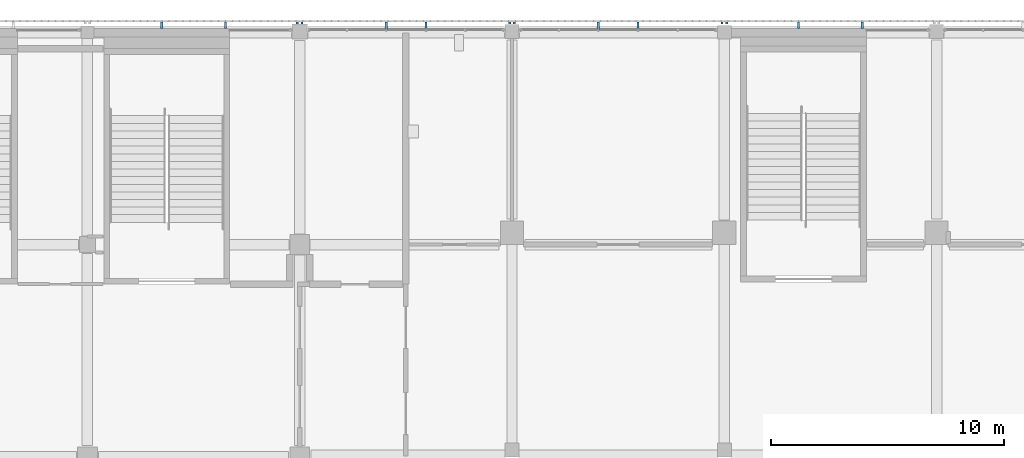
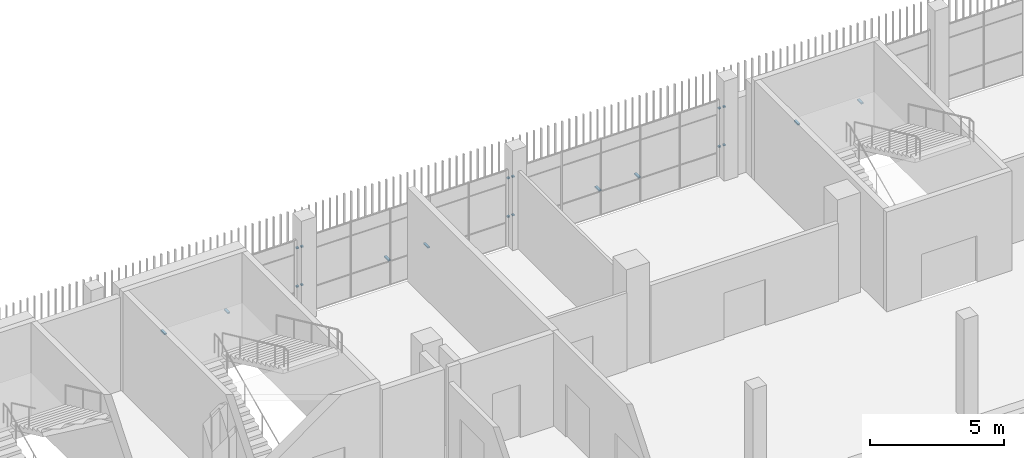
# One storey, part 101 of 126: 20 discrete accessories.
"""IFC4 building model written with IfcOpenShell, lengths in metres."""

from ifc_helpers import new_model, si_unit, direction, frame, origin, origin_2d, place, context, subcontext, project, spatial, rectangle, extrude, material, type_object, element, save


model = new_model("IFC4")

# Units and contexts
model_context = context("Model", 3, precision=1e-05, world=origin(), true_north=direction((0.0, 1.0)))
body_context = subcontext(model_context, "Body", "Model", "MODEL_VIEW")
ifc_project = project(units=[si_unit("LENGTHUNIT", "METRE"), si_unit("AREAUNIT", "SQUARE_METRE"), si_unit("VOLUMEUNIT", "CUBIC_METRE"), si_unit("PLANEANGLEUNIT", "RADIAN"), si_unit("MASSUNIT", "GRAM", prefix="KILO")], contexts=[model_context])

# Site, building, storey
site_placement = place(None, origin())
site = spatial("IfcSite", under=ifc_project, at=site_placement, CompositionType="ELEMENT")
building_placement = place(site_placement, origin())
building = spatial("IfcBuilding", under=site, at=building_placement, Name="Shirokan Park Arena", CompositionType="ELEMENT")
storey_placement = place(building_placement, frame((0.0, 0.0, 6.3701171875)))
storey = spatial("IfcBuildingStorey", under=building, at=storey_placement, Name="L01", CompositionType="ELEMENT", Elevation=6.3701171875)

# Discrete accessories
ifc_material = material(Name="Steel S355", Category="steel")
discrete_accessory_type = type_object("IfcDiscreteAccessoryType", Name="Veil bracket 100x60", PredefinedType="BRACKET", material=ifc_material)
for number, where, z_axis, x_axis, name in (
    (1, (54.699951171875, 109.597412109375, 1.06982421875), (0.0, 0.0, 1.0), (-1.0, 0.0, 0.0), "Veil bracket north bay 10 L01 2"),
    (2, (54.699951171875, 109.597412109375, 2.81982421875), (0.0, 0.0, 1.0), (-1.0, 0.0, 0.0), "Veil bracket north bay 10 L01 4"),
):
    element("IfcDiscreteAccessory", number, at=place(storey_placement, frame(where, z_axis=z_axis, x_axis=x_axis)), inside=storey, type_object=discrete_accessory_type, Name=name, PredefinedType="BRACKET", context=body_context, shape_type="SweptSolid", body=[
        extrude(rectangle(XDim=0.10009765625, YDim=0.094970703125, at=origin_2d()), origin(), (0.0, 0.0, 1.0), 0.06005859375),
    ])
for number, where, z_axis, x_axis, name in (
    (3, (60.514892578125, 109.49755859375, 1.06982421875), (0.0, 0.0, 1.0), (-1.0, 0.0, 0.0), "Veil bracket north bay 10 L01 wall 1"),
    (4, (57.784912109375, 109.49755859375, 1.06982421875), (0.0, 0.0, 1.0), (-1.0, 0.0, 0.0), "Veil bracket north bay 10 L01 wall 2"),
):
    element("IfcDiscreteAccessory", number, at=place(storey_placement, frame(where, z_axis=z_axis, x_axis=x_axis)), inside=storey, type_object=discrete_accessory_type, Name=name, PredefinedType="BRACKET", context=body_context, shape_type="SweptSolid", body=[
        extrude(rectangle(XDim=0.10009765625, YDim=0.294921875, at=origin_2d()), origin(), (0.0, 0.0, 1.0), 0.06005859375),
    ])
for number, where, z_axis, x_axis, name in (
    (5, (54.5, 109.597412109375, 1.06982421875), (0.0, 0.0, 1.0), (-1.0, 0.0, 0.0), "Veil bracket north bay 11 L01 1"),
    (6, (45.60009765625, 109.597412109375, 1.06982421875), (0.0, 0.0, 1.0), (-1.0, 0.0, 0.0), "Veil bracket north bay 11 L01 2"),
    (7, (54.5, 109.597412109375, 2.81982421875), (0.0, 0.0, 1.0), (-1.0, 0.0, 0.0), "Veil bracket north bay 11 L01 3"),
    (8, (45.60009765625, 109.597412109375, 2.81982421875), (0.0, 0.0, 1.0), (-1.0, 0.0, 0.0), "Veil bracket north bay 11 L01 4"),
):
    element("IfcDiscreteAccessory", number, at=place(storey_placement, frame(where, z_axis=z_axis, x_axis=x_axis)), inside=storey, type_object=discrete_accessory_type, Name=name, PredefinedType="BRACKET", context=body_context, shape_type="SweptSolid", body=[
        extrude(rectangle(XDim=0.10009765625, YDim=0.094970703125, at=origin_2d()), origin(), (0.0, 0.0, 1.0), 0.06005859375),
    ])
for number, where, z_axis, x_axis, name in (
    (9, (50.89990234375, 109.485107421875, 1.06982421875), (0.0, 0.0, 1.0), (-1.0, 0.0, 0.0), "Veil bracket north bay 11 L01 wall 1"),
    (10, (49.199951171875, 109.485107421875, 1.06982421875), (0.0, 0.0, 1.0), (-1.0, 0.0, 0.0), "Veil bracket north bay 11 L01 wall 2"),
):
    element("IfcDiscreteAccessory", number, at=place(storey_placement, frame(where, z_axis=z_axis, x_axis=x_axis)), inside=storey, type_object=discrete_accessory_type, Name=name, PredefinedType="BRACKET", context=body_context, shape_type="SweptSolid", body=[
        extrude(rectangle(XDim=0.10009765625, YDim=0.320068359375, at=origin_2d()), origin(), (0.0, 0.0, 1.0), 0.06005859375),
    ])
for number, where, z_axis, x_axis, name in (
    (11, (45.39990234375, 109.597412109375, 1.06982421875), (0.0, 0.0, 1.0), (-1.0, 0.0, 0.0), "Veil bracket north bay 12 L01 1"),
    (12, (36.5, 109.597412109375, 1.06982421875), (0.0, 0.0, 1.0), (-1.0, 0.0, 0.0), "Veil bracket north bay 12 L01 2"),
    (13, (45.39990234375, 109.597412109375, 2.81982421875), (0.0, 0.0, 1.0), (-1.0, 0.0, 0.0), "Veil bracket north bay 12 L01 3"),
    (14, (36.5, 109.597412109375, 2.81982421875), (0.0, 0.0, 1.0), (-1.0, 0.0, 0.0), "Veil bracket north bay 12 L01 4"),
):
    element("IfcDiscreteAccessory", number, at=place(storey_placement, frame(where, z_axis=z_axis, x_axis=x_axis)), inside=storey, type_object=discrete_accessory_type, Name=name, PredefinedType="BRACKET", context=body_context, shape_type="SweptSolid", body=[
        extrude(rectangle(XDim=0.10009765625, YDim=0.094970703125, at=origin_2d()), origin(), (0.0, 0.0, 1.0), 0.06005859375),
    ])
for number, where, z_axis, x_axis, name in (
    (15, (41.81005859375, 109.485107421875, 1.06982421875), (0.0, 0.0, 1.0), (-1.0, 0.0, 0.0), "Veil bracket north bay 12 L01 wall 1"),
    (16, (40.114990234375, 109.485107421875, 1.06982421875), (0.0, 0.0, 1.0), (-1.0, 0.0, 0.0), "Veil bracket north bay 12 L01 wall 2"),
):
    element("IfcDiscreteAccessory", number, at=place(storey_placement, frame(where, z_axis=z_axis, x_axis=x_axis)), inside=storey, type_object=discrete_accessory_type, Name=name, PredefinedType="BRACKET", context=body_context, shape_type="SweptSolid", body=[
        extrude(rectangle(XDim=0.10009765625, YDim=0.320068359375, at=origin_2d()), origin(), (0.0, 0.0, 1.0), 0.06005859375),
    ])
for number, where, z_axis, x_axis, name in (
    (17, (36.300048828125, 109.597412109375, 1.06982421875), (0.0, 0.0, 1.0), (-1.0, 0.0, 0.0), "Veil bracket north bay 13 L01 1"),
    (18, (36.300048828125, 109.597412109375, 2.81982421875), (0.0, 0.0, 1.0), (-1.0, 0.0, 0.0), "Veil bracket north bay 13 L01 3"),
):
    element("IfcDiscreteAccessory", number, at=place(storey_placement, frame(where, z_axis=z_axis, x_axis=x_axis)), inside=storey, type_object=discrete_accessory_type, Name=name, PredefinedType="BRACKET", context=body_context, shape_type="SweptSolid", body=[
        extrude(rectangle(XDim=0.10009765625, YDim=0.094970703125, at=origin_2d()), origin(), (0.0, 0.0, 1.0), 0.06005859375),
    ])
for number, where, z_axis, x_axis, name in (
    (19, (33.215087890625, 109.49755859375, 1.06982421875), (0.0, 0.0, 1.0), (-1.0, 0.0, 0.0), "Veil bracket north bay 13 L01 wall 1"),
    (20, (30.485107421875, 109.49755859375, 1.06982421875), (0.0, 0.0, 1.0), (-1.0, 0.0, 0.0), "Veil bracket north bay 13 L01 wall 2"),
):
    element("IfcDiscreteAccessory", number, at=place(storey_placement, frame(where, z_axis=z_axis, x_axis=x_axis)), inside=storey, type_object=discrete_accessory_type, Name=name, PredefinedType="BRACKET", context=body_context, shape_type="SweptSolid", body=[
        extrude(rectangle(XDim=0.10009765625, YDim=0.294921875, at=origin_2d()), origin(), (0.0, 0.0, 1.0), 0.06005859375),
    ])

save(model, "model.ifc")
